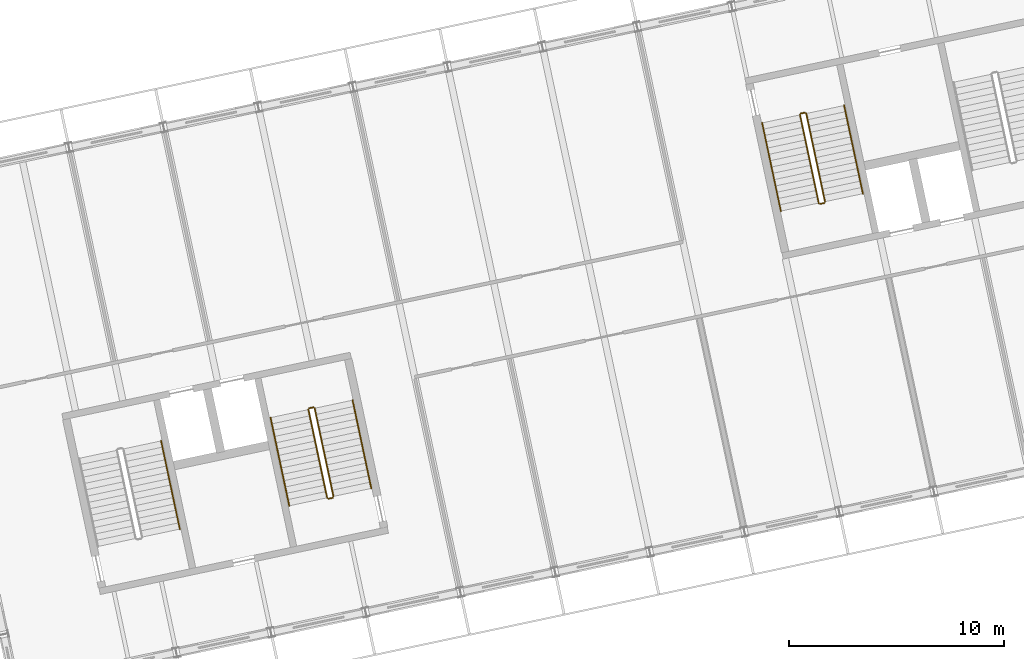
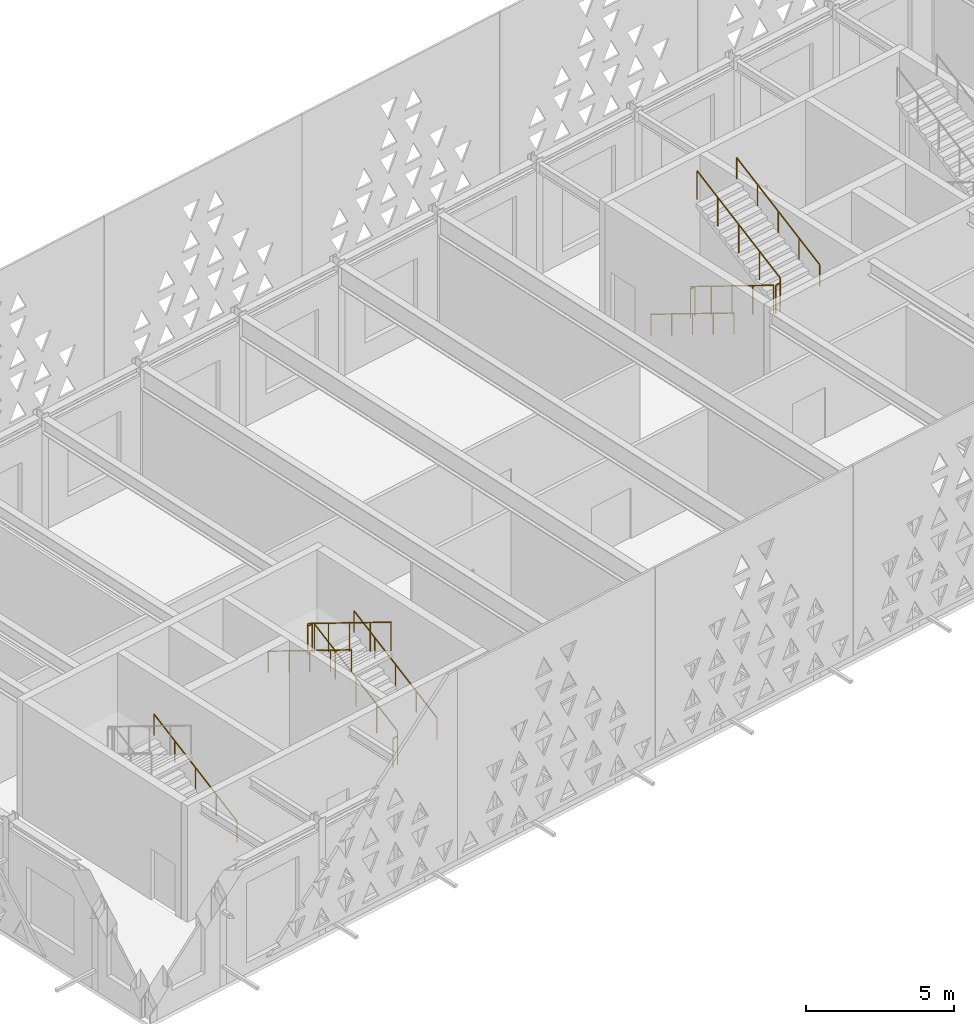
# One storey, part 187 of 196: 13 railings.
"""IFC4 building model written with IfcOpenShell, lengths in metres."""

from ifc_helpers import new_model, si_unit, direction, frame, origin, origin_2d, place, context, subcontext, project, spatial, circle, extrude, material, type_object, element, save


model = new_model("IFC4")

# Units and contexts
model_context = context("Model", 3, precision=1e-05, world=origin(), true_north=direction((0.0, 1.0)))
body_context = subcontext(model_context, "Body", "Model", "MODEL_VIEW")
ifc_project = project(units=[si_unit("LENGTHUNIT", "METRE"), si_unit("AREAUNIT", "SQUARE_METRE"), si_unit("VOLUMEUNIT", "CUBIC_METRE"), si_unit("PLANEANGLEUNIT", "RADIAN"), si_unit("MASSUNIT", "GRAM", prefix="KILO")], contexts=[model_context])

# Site, building, storey
site_placement = place(None, origin())
site = spatial("IfcSite", under=ifc_project, at=site_placement, CompositionType="ELEMENT")
building_placement = place(site_placement, origin())
building = spatial("IfcBuilding", under=site, at=building_placement, Name="Okhra Congress Centre", CompositionType="ELEMENT")
storey_placement = place(building_placement, frame((0.0, 0.0, 12.0)))
storey = spatial("IfcBuildingStorey", under=building, at=storey_placement, Name="L02", CompositionType="ELEMENT", Elevation=12.0)

# Railings
ifc_material_1 = material(Name="Painted steel tube handrail on wall brackets", Category="steel")
railing_type_1 = type_object("IfcRailingType", Name="Steel handrail 900", PredefinedType="HANDRAIL", material=ifc_material_1)
for number, where, name in (
    (1, (69.975830078125, 34.414306640625, 0.159912109375), "L02 BS1A stair handrail 1"),
    (2, (78.876953125, 36.306396484375, 0.159912109375), "L02 BS1B stair handrail 1"),
):
    element("IfcRailing", number, at=place(storey_placement, frame(where)), inside=storey, type_object=railing_type_1, Name=name, PredefinedType="HANDRAIL", context=body_context, shape_type="SweptSolid", body=[
        extrude(circle(Radius=0.02392578125, at=origin_2d()), frame((0.0, 0.0, 0.8759765625), z_axis=(-0.183466421502, 0.863066668889, 0.4705911147), x_axis=(-0.978143927149, -0.207928972925, 0.0)), (0.0, 0.0, 1.0), 4.760009765625),
        extrude(circle(Radius=0.02099609375, at=origin_2d()), origin(), (0.0, 0.0, 1.0), 0.851806640625),
        extrude(circle(Radius=0.02099609375, at=origin_2d()), frame((-0.21826171875, 1.027099609375, 0.56005859375)), (0.0, 0.0, 1.0), 0.851806640625),
        extrude(circle(Radius=0.02099609375, at=origin_2d()), frame((-0.4365234375, 2.05419921875, 1.1201171875)), (0.0, 0.0, 1.0), 0.851806640625),
        extrude(circle(Radius=0.02099609375, at=origin_2d()), frame((-0.655029296875, 3.0810546875, 1.679931640625)), (0.0, 0.0, 1.0), 0.851806640625),
        extrude(circle(Radius=0.02099609375, at=origin_2d()), frame((-0.873291015625, 4.108154296875, 2.239990234375)), (0.0, 0.0, 1.0), 0.851806640625),
    ])
railing_1_placement = place(storey_placement, frame((74.18896484375, 39.603759765625, 2.56005859375)))
element("IfcRailing", 3, at=railing_1_placement, inside=storey, type_object=railing_type_1, Name="L02 BS1B stair handrail 2", PredefinedType="HANDRAIL", context=body_context, shape_type="SweptSolid", body=[
    extrude(circle(Radius=0.02392578125, at=origin_2d()), frame((0.0, 0.0, 0.8759765625), z_axis=(0.183408737451, -0.863087872992, 0.470574710881), x_axis=(0.97815826, 0.207861536591, 0.0)), (0.0, 0.0, 1.0), 4.760009765625),
    extrude(circle(Radius=0.02099609375, at=origin_2d()), origin(), (0.0, 0.0, 1.0), 0.851806640625),
    extrude(circle(Radius=0.02099609375, at=origin_2d()), frame((0.21826171875, -1.027099609375, 0.56005859375)), (0.0, 0.0, 1.0), 0.851806640625),
    extrude(circle(Radius=0.02099609375, at=origin_2d()), frame((0.4365234375, -2.05419921875, 1.1201171875)), (0.0, 0.0, 1.0), 0.851806640625),
    extrude(circle(Radius=0.02099609375, at=origin_2d()), frame((0.65478515625, -3.081298828125, 1.679931640625)), (0.0, 0.0, 1.0), 0.851806640625),
    extrude(circle(Radius=0.02099609375, at=origin_2d()), frame((0.873046875, -4.1083984375, 2.239990234375)), (0.0, 0.0, 1.0), 0.851806640625),
])
railing_2_placement = place(storey_placement, frame((97.039794921875, 53.303955078125, 0.159912109375)))
element("IfcRailing", 4, at=railing_2_placement, inside=storey, type_object=railing_type_1, Name="L02 BS2A stair handrail 1", PredefinedType="HANDRAIL", context=body_context, shape_type="SweptSolid", body=[
    extrude(circle(Radius=0.02392578125, at=origin_2d()), frame((0.0, 0.0, 0.8759765625), z_axis=(0.183416856655, -0.863074789412, 0.470595542453), x_axis=(0.978155748334, 0.207873355681, 0.0)), (0.0, 0.0, 1.0), 4.760009765625),
    extrude(circle(Radius=0.02099609375, at=origin_2d()), origin(), (0.0, 0.0, 1.0), 0.851806640625),
    extrude(circle(Radius=0.02099609375, at=origin_2d()), frame((0.21826171875, -1.027099609375, 0.56005859375)), (0.0, 0.0, 1.0), 0.851806640625),
    extrude(circle(Radius=0.02099609375, at=origin_2d()), frame((0.4365234375, -2.05419921875, 1.1201171875)), (0.0, 0.0, 1.0), 0.851806640625),
    extrude(circle(Radius=0.02099609375, at=origin_2d()), frame((0.65478515625, -3.0810546875, 1.679931640625)), (0.0, 0.0, 1.0), 0.851806640625),
    extrude(circle(Radius=0.02099609375, at=origin_2d()), frame((0.873046875, -4.108154296875, 2.239990234375)), (0.0, 0.0, 1.0), 0.851806640625),
])
railing_3_placement = place(storey_placement, frame((101.727783203125, 50.006591796875, 2.56005859375)))
element("IfcRailing", 5, at=railing_3_placement, inside=storey, type_object=railing_type_1, Name="L02 BS2A stair handrail 2", PredefinedType="HANDRAIL", context=body_context, shape_type="SweptSolid", body=[
    extrude(circle(Radius=0.02392578125, at=origin_2d()), frame((0.0, 0.0, 0.8759765625), z_axis=(-0.183466421502, 0.863066668889, 0.4705911147), x_axis=(-0.978143927149, -0.207928972925, 0.0)), (0.0, 0.0, 1.0), 4.760009765625),
    extrude(circle(Radius=0.02099609375, at=origin_2d()), origin(), (0.0, 0.0, 1.0), 0.851806640625),
    extrude(circle(Radius=0.02099609375, at=origin_2d()), frame((-0.21826171875, 1.027099609375, 0.56005859375)), (0.0, 0.0, 1.0), 0.851806640625),
    extrude(circle(Radius=0.02099609375, at=origin_2d()), frame((-0.4365234375, 2.05419921875, 1.1201171875)), (0.0, 0.0, 1.0), 0.851806640625),
    extrude(circle(Radius=0.02099609375, at=origin_2d()), frame((-0.655029296875, 3.0810546875, 1.679931640625)), (0.0, 0.0, 1.0), 0.851806640625),
    extrude(circle(Radius=0.02099609375, at=origin_2d()), frame((-0.873291015625, 4.108154296875, 2.239990234375)), (0.0, 0.0, 1.0), 0.851806640625),
])
ifc_material_2 = material(Name="Painted steel tube guard with vertical steel balusters", Category="steel")
railing_type_2 = type_object("IfcRailingType", Name="Steel stair guard 1200", PredefinedType="GUARDRAIL", material=ifc_material_2)
railing_4_placement = place(storey_placement, frame((77.1162109375, 35.93212890625, 0.159912109375)))
element("IfcRailing", 6, at=railing_4_placement, inside=storey, type_object=railing_type_2, Name="L02 BS1B stair guard 1", PredefinedType="GUARDRAIL", context=body_context, shape_type="SweptSolid", body=[
    extrude(circle(Radius=0.02392578125, at=origin_2d()), frame((0.0, 0.0, 1.17578125), z_axis=(-0.183466421502, 0.863066668889, 0.4705911147), x_axis=(-0.978143927149, -0.207928972925, 0.0)), (0.0, 0.0, 1.0), 4.760009765625),
    extrude(circle(Radius=0.02099609375, at=origin_2d()), origin(), (0.0, 0.0, 1.0), 1.15185546875),
    extrude(circle(Radius=0.02099609375, at=origin_2d()), frame((-0.21826171875, 1.027099609375, 0.56005859375)), (0.0, 0.0, 1.0), 1.15185546875),
    extrude(circle(Radius=0.02099609375, at=origin_2d()), frame((-0.4365234375, 2.05419921875, 1.1201171875)), (0.0, 0.0, 1.0), 1.15185546875),
    extrude(circle(Radius=0.02099609375, at=origin_2d()), frame((-0.655029296875, 3.0810546875, 1.679931640625)), (0.0, 0.0, 1.0), 1.15185546875),
    extrude(circle(Radius=0.02099609375, at=origin_2d()), frame((-0.873291015625, 4.108154296875, 2.239990234375)), (0.0, 0.0, 1.0), 1.15185546875),
])
railing_5_placement = place(storey_placement, frame((76.18359375, 40.078857421875, 2.39990234375)))
element("IfcRailing", 7, at=railing_5_placement, inside=storey, type_object=railing_type_2, Name="L02 BS1B stair guard 2", PredefinedType="GUARDRAIL", context=body_context, shape_type="SweptSolid", body=[
    extrude(circle(Radius=0.02392578125, at=origin_2d()), frame((0.0, 0.0, 1.17578125), z_axis=(-0.977962931203, -0.208778603291, 0.0), x_axis=(0.208778603291, -0.977962931203, 0.0)), (0.0, 0.0, 1.0), 0.199951171875),
    extrude(circle(Radius=0.02099609375, at=origin_2d()), origin(), (0.0, 0.0, 1.0), 1.15185546875),
    extrude(circle(Radius=0.02099609375, at=origin_2d()), frame((-0.195556640625, -0.041748046875, 0.0)), (0.0, 0.0, 1.0), 1.15185546875),
])
railing_6_placement = place(storey_placement, frame((75.949462890625, 39.977783203125, 2.56005859375)))
element("IfcRailing", 8, at=railing_6_placement, inside=storey, type_object=railing_type_2, Name="L02 BS1B stair guard 3", PredefinedType="GUARDRAIL", context=body_context, shape_type="SweptSolid", body=[
    extrude(circle(Radius=0.02392578125, at=origin_2d()), frame((0.0, 0.0, 1.17578125), z_axis=(0.183466421502, -0.863066668889, 0.4705911147), x_axis=(0.978143927149, 0.207928972925, 0.0)), (0.0, 0.0, 1.0), 4.760009765625),
    extrude(circle(Radius=0.02099609375, at=origin_2d()), origin(), (0.0, 0.0, 1.0), 1.15185546875),
    extrude(circle(Radius=0.02099609375, at=origin_2d()), frame((0.21826171875, -1.027099609375, 0.56005859375)), (0.0, 0.0, 1.0), 1.15185546875),
    extrude(circle(Radius=0.02099609375, at=origin_2d()), frame((0.4365234375, -2.05419921875, 1.1201171875)), (0.0, 0.0, 1.0), 1.15185546875),
    extrude(circle(Radius=0.02099609375, at=origin_2d()), frame((0.655029296875, -3.0810546875, 1.679931640625)), (0.0, 0.0, 1.0), 1.15185546875),
    extrude(circle(Radius=0.02099609375, at=origin_2d()), frame((0.873291015625, -4.108154296875, 2.239990234375)), (0.0, 0.0, 1.0), 1.15185546875),
])
railing_7_placement = place(storey_placement, frame((77.07763671875, 35.872802734375, 0.0)))
element("IfcRailing", 9, at=railing_7_placement, inside=storey, type_object=railing_type_2, Name="L02 BS1B stair guard 4", PredefinedType="GUARDRAIL", context=body_context, shape_type="SweptSolid", body=[
    extrude(circle(Radius=0.02392578125, at=origin_2d()), frame((0.0, 0.0, 1.17578125), z_axis=(-0.977962931203, -0.208778603291, 0.0), x_axis=(0.208778603291, -0.977962931203, 0.0)), (0.0, 0.0, 1.0), 0.199951171875),
    extrude(circle(Radius=0.02099609375, at=origin_2d()), origin(), (0.0, 0.0, 1.0), 1.15185546875),
    extrude(circle(Radius=0.02099609375, at=origin_2d()), frame((-0.195556640625, -0.041748046875, 0.0)), (0.0, 0.0, 1.0), 1.15185546875),
])
railing_8_placement = place(storey_placement, frame((98.80029296875, 53.67822265625, 0.159912109375)))
element("IfcRailing", 10, at=railing_8_placement, inside=storey, type_object=railing_type_2, Name="L02 BS2A stair guard 1", PredefinedType="GUARDRAIL", context=body_context, shape_type="SweptSolid", body=[
    extrude(circle(Radius=0.02392578125, at=origin_2d()), frame((0.0, 0.0, 1.17578125), z_axis=(0.183466421502, -0.863066668889, 0.4705911147), x_axis=(0.978143927149, 0.207928972925, 0.0)), (0.0, 0.0, 1.0), 4.760009765625),
    extrude(circle(Radius=0.02099609375, at=origin_2d()), origin(), (0.0, 0.0, 1.0), 1.15185546875),
    extrude(circle(Radius=0.02099609375, at=origin_2d()), frame((0.21826171875, -1.027099609375, 0.56005859375)), (0.0, 0.0, 1.0), 1.15185546875),
    extrude(circle(Radius=0.02099609375, at=origin_2d()), frame((0.4365234375, -2.05419921875, 1.1201171875)), (0.0, 0.0, 1.0), 1.15185546875),
    extrude(circle(Radius=0.02099609375, at=origin_2d()), frame((0.655029296875, -3.0810546875, 1.679931640625)), (0.0, 0.0, 1.0), 1.15185546875),
    extrude(circle(Radius=0.02099609375, at=origin_2d()), frame((0.873291015625, -4.108154296875, 2.239990234375)), (0.0, 0.0, 1.0), 1.15185546875),
])
railing_9_placement = place(storey_placement, frame((99.73291015625, 49.531494140625, 2.39990234375)))
element("IfcRailing", 11, at=railing_9_placement, inside=storey, type_object=railing_type_2, Name="L02 BS2A stair guard 2", PredefinedType="GUARDRAIL", context=body_context, shape_type="SweptSolid", body=[
    extrude(circle(Radius=0.02392578125, at=origin_2d()), frame((0.0, 0.0, 1.17578125), z_axis=(0.978211583308, 0.207610448392, 0.0), x_axis=(-0.207610448392, 0.978211583308, 0.0)), (0.0, 0.0, 1.0), 0.199951171875),
    extrude(circle(Radius=0.02099609375, at=origin_2d()), origin(), (0.0, 0.0, 1.0), 1.15185546875),
    extrude(circle(Radius=0.02099609375, at=origin_2d()), frame((0.195556640625, 0.04150390625, 0.0)), (0.0, 0.0, 1.0), 1.15185546875),
])
railing_10_placement = place(storey_placement, frame((99.967041015625, 49.63232421875, 2.56005859375)))
element("IfcRailing", 12, at=railing_10_placement, inside=storey, type_object=railing_type_2, Name="L02 BS2A stair guard 3", PredefinedType="GUARDRAIL", context=body_context, shape_type="SweptSolid", body=[
    extrude(circle(Radius=0.02392578125, at=origin_2d()), frame((0.0, 0.0, 1.17578125), z_axis=(-0.183458300256, 0.863079753065, 0.470570283716), x_axis=(-0.978146440129, -0.207917150959, 0.0)), (0.0, 0.0, 1.0), 4.76025390625),
    extrude(circle(Radius=0.02099609375, at=origin_2d()), origin(), (0.0, 0.0, 1.0), 1.15185546875),
    extrude(circle(Radius=0.02099609375, at=origin_2d()), frame((-0.21826171875, 1.027099609375, 0.56005859375)), (0.0, 0.0, 1.0), 1.15185546875),
    extrude(circle(Radius=0.02099609375, at=origin_2d()), frame((-0.4365234375, 2.05419921875, 1.1201171875)), (0.0, 0.0, 1.0), 1.15185546875),
    extrude(circle(Radius=0.02099609375, at=origin_2d()), frame((-0.655029296875, 3.081298828125, 1.679931640625)), (0.0, 0.0, 1.0), 1.15185546875),
    extrude(circle(Radius=0.02099609375, at=origin_2d()), frame((-0.873291015625, 4.1083984375, 2.239990234375)), (0.0, 0.0, 1.0), 1.15185546875),
])
railing_11_placement = place(storey_placement, frame((98.8388671875, 53.737548828125, 0.0)))
element("IfcRailing", 13, at=railing_11_placement, inside=storey, type_object=railing_type_2, Name="L02 BS2A stair guard 4", PredefinedType="GUARDRAIL", context=body_context, shape_type="SweptSolid", body=[
    extrude(circle(Radius=0.02392578125, at=origin_2d()), frame((0.0, 0.0, 1.17578125), z_axis=(0.978211583308, 0.207610448392, 0.0), x_axis=(-0.207610448392, 0.978211583308, 0.0)), (0.0, 0.0, 1.0), 0.199951171875),
    extrude(circle(Radius=0.02099609375, at=origin_2d()), origin(), (0.0, 0.0, 1.0), 1.15185546875),
    extrude(circle(Radius=0.02099609375, at=origin_2d()), frame((0.195556640625, 0.04150390625, 0.0)), (0.0, 0.0, 1.0), 1.15185546875),
])

save(model, "model.ifc")
